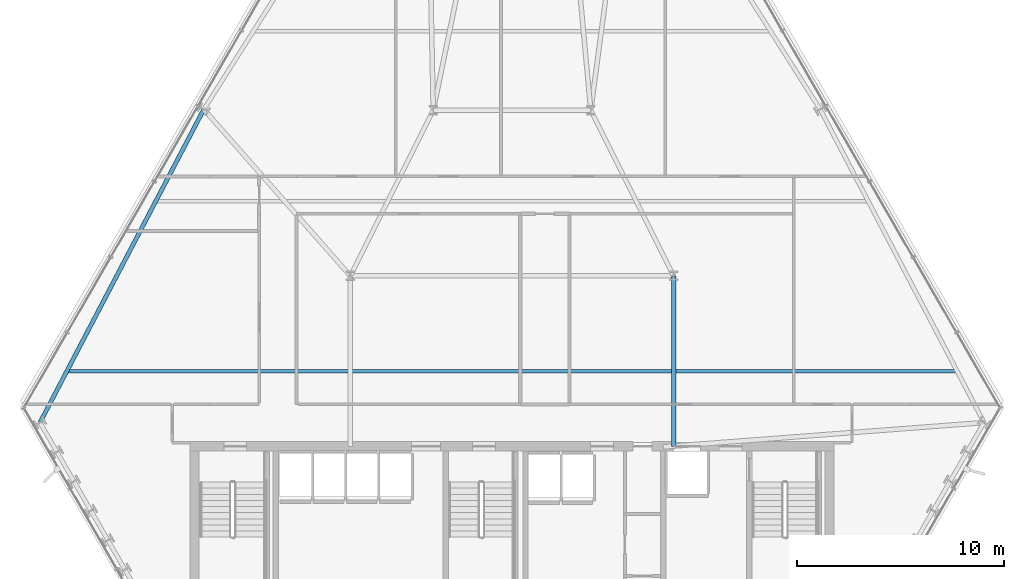
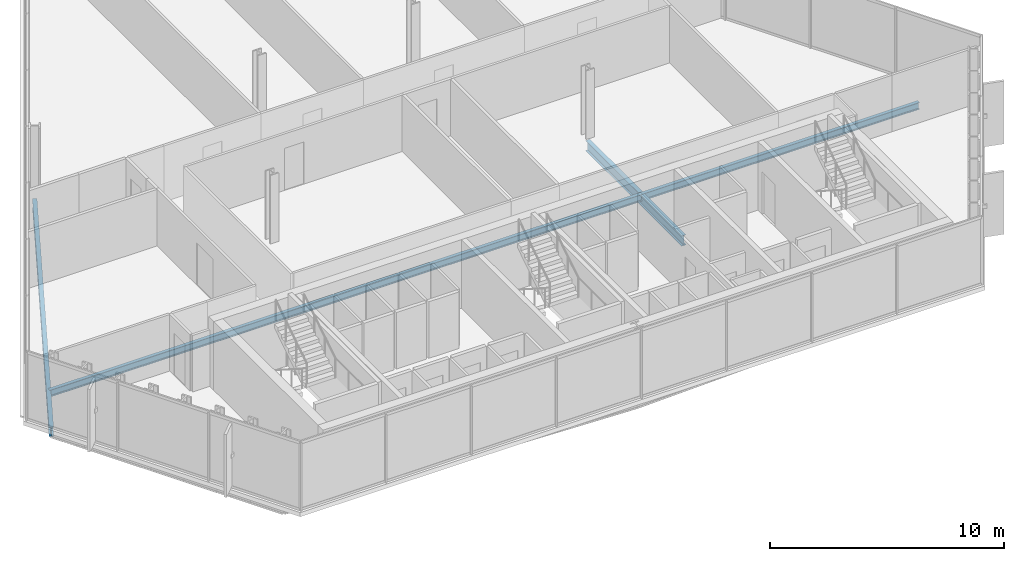
# One storey, part 10 of 31: 3 beams.
"""IFC4 building model written with IfcOpenShell, lengths in metres."""

from ifc_helpers import new_model, si_unit, direction, frame, origin, origin_2d, place, context, subcontext, project, spatial, i_section, extrude, material, material_profile, profile_set, type_object, element, save


model = new_model("IFC4")

# Units and contexts
model_context = context("Model", 3, precision=1e-05, world=origin(), true_north=direction((0.0, 1.0)))
body_context = subcontext(model_context, "Body", "Model", "MODEL_VIEW")
ifc_project = project(units=[si_unit("LENGTHUNIT", "METRE"), si_unit("AREAUNIT", "SQUARE_METRE"), si_unit("VOLUMEUNIT", "CUBIC_METRE"), si_unit("PLANEANGLEUNIT", "RADIAN"), si_unit("MASSUNIT", "GRAM", prefix="KILO")], contexts=[model_context])

# Site, building, storey
site_placement = place(None, origin())
site = spatial("IfcSite", under=ifc_project, at=site_placement, CompositionType="ELEMENT")
building_placement = place(site_placement, origin())
building = spatial("IfcBuilding", under=site, at=building_placement, Name="Ndaravel Arena Tower", CompositionType="ELEMENT")
storey_placement = place(building_placement, frame((0.0, 0.0, 100.60009765625)))
storey = spatial("IfcBuildingStorey", under=building, at=storey_placement, Name="L23", CompositionType="ELEMENT", Elevation=100.60009765625)

# Beams
ifc_material_1 = material(Name="Steel S355", Category="steel")
ifc_material_profile_1 = material_profile(ifc_material_1, i_section(OverallWidth=0.210693359375, OverallDepth=0.53955078125, WebThickness=0.01171875, FlangeThickness=0.018798828125, FilletRadius=0.0126953125, at=origin_2d()), Name="UB 533x210x109")
ifc_profile_set_1 = profile_set([ifc_material_profile_1], Name="Steel S355")
beam_type_1 = type_object("IfcBeamType", Name="BM-GIRD-UB533", PredefinedType="BEAM", material=ifc_profile_set_1)
beam_1_placement = place(storey_placement, frame((49.800048828125, 14.97998046875, -0.489990234375), z_axis=(0.0, 1.0, 0.0), x_axis=(-1.0, 0.0, 0.0)))
element("IfcBeam", 1, at=beam_1_placement, inside=storey, type_object=beam_type_1, Name="L23 Spine Link Girder SLG-02", PredefinedType="BEAM", context=body_context, shape_type="SweptSolid", body=[
    extrude(i_section(OverallWidth=0.210693359375, OverallDepth=0.53955078125, WebThickness=0.01171875, FlangeThickness=0.018798828125, FilletRadius=0.0126953125, at=origin_2d()), origin(), (0.0, 0.0, 1.0), 8.219970703125),
])
ifc_material_2 = material(Name="Steel S355", Category="steel")
ifc_material_profile_2 = material_profile(ifc_material_2, i_section(OverallWidth=0.169921875, OverallDepth=0.360107421875, WebThickness=0.008056640625, FlangeThickness=0.0126953125, FilletRadius=0.01806640625, at=origin_2d()), Name="IPE 360")
ifc_profile_set_2 = profile_set([ifc_material_profile_2], Name="Steel S355")
beam_type_2 = type_object("IfcBeamType", Name="BM-JOIST-IPE360", PredefinedType="JOIST", material=ifc_profile_set_2)
beam_2_placement = place(storey_placement, frame((20.517578125, 18.60009765625, -0.400146484375), z_axis=(1.0, 0.0, 0.0), x_axis=(0.0, 1.0, 0.0)))
element("IfcBeam", 2, at=beam_2_placement, inside=storey, type_object=beam_type_2, Name="L23 Composite Floor Joist FJ-01", PredefinedType="JOIST", context=body_context, shape_type="SweptSolid", body=[
    extrude(i_section(OverallWidth=0.169921875, OverallDepth=0.360107421875, WebThickness=0.008056640625, FlangeThickness=0.0126953125, FilletRadius=0.01806640625, at=origin_2d()), origin(), (0.0, 0.0, 1.0), 42.96484375),
])
ifc_material_3 = material(Name="Steel S355", Category="steel")
ifc_material_profile_3 = material_profile(ifc_material_3, i_section(OverallWidth=0.199951171875, OverallDepth=0.5, WebThickness=0.01025390625, FlangeThickness=0.01611328125, FilletRadius=0.02099609375, at=origin_2d()), Name="IPE 500")
ifc_profile_set_3 = profile_set([ifc_material_profile_3], Name="Steel S355")
beam_type_3 = type_object("IfcBeamType", Name="BM-SPAN-IPE500", PredefinedType="SPANDREL", material=ifc_profile_set_3)
beam_3_placement = place(storey_placement, frame((27.12890625, 31.23779296875, -0.47021484375), z_axis=(-0.463540575518, -0.886075693634, 0.0), x_axis=(0.886075693634, -0.463540575518, 0.0)))
element("IfcBeam", 3, at=beam_3_placement, inside=storey, type_object=beam_type_3, Name="L23 Perimeter Spandrel Beam SP-19", PredefinedType="SPANDREL", context=body_context, shape_type="SweptSolid", body=[
    extrude(i_section(OverallWidth=0.199951171875, OverallDepth=0.5, WebThickness=0.01025390625, FlangeThickness=0.01611328125, FilletRadius=0.02099609375, at=origin_2d()), origin(), (0.0, 0.0, 1.0), 17.057861328125),
])

save(model, "model.ifc")
